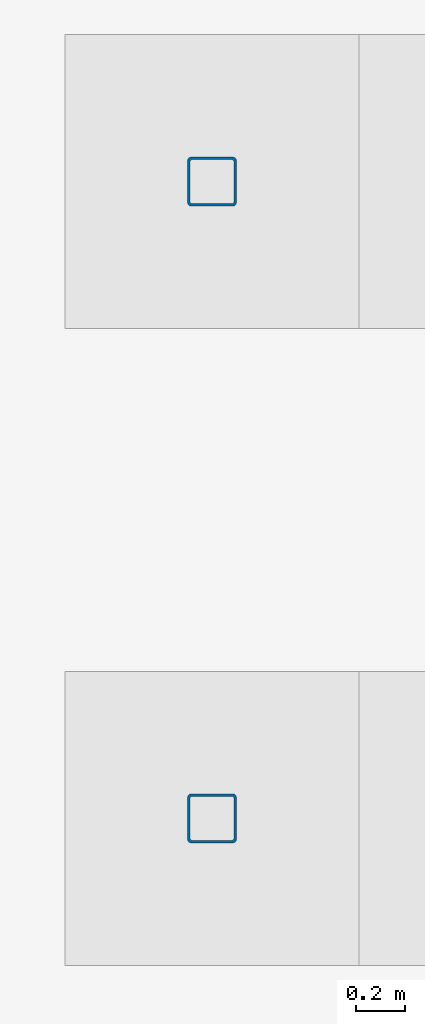
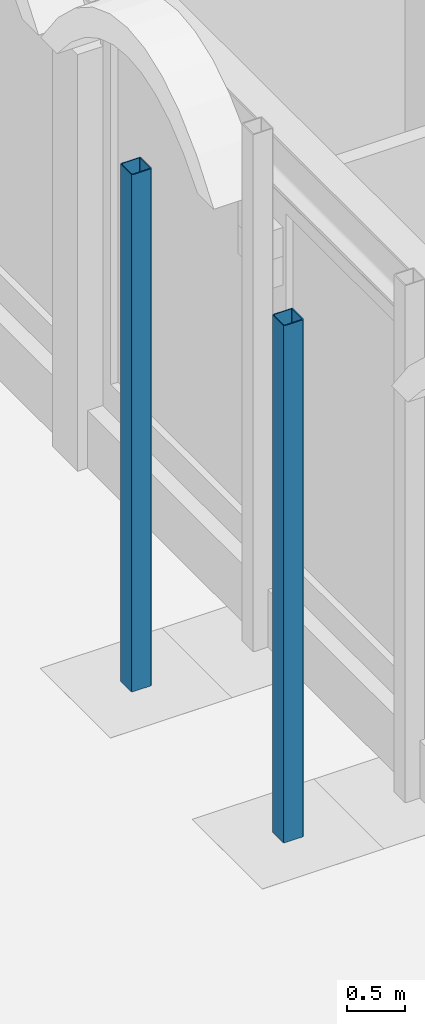
# One storey, part 15 of 126: 2 columns.
"""IFC4 building model written with IfcOpenShell, lengths in metres."""

from ifc_helpers import new_model, si_unit, direction, frame, origin, origin_2d, place, context, subcontext, project, spatial, hollow_rectangle, extrude, material, material_profile, profile_set, type_object, element, save


model = new_model("IFC4")

# Units and contexts
model_context = context("Model", 3, precision=1e-05, world=origin(), true_north=direction((0.0, 1.0)))
body_context = subcontext(model_context, "Body", "Model", "MODEL_VIEW")
ifc_project = project(units=[si_unit("LENGTHUNIT", "METRE"), si_unit("AREAUNIT", "SQUARE_METRE"), si_unit("VOLUMEUNIT", "CUBIC_METRE"), si_unit("PLANEANGLEUNIT", "RADIAN"), si_unit("MASSUNIT", "GRAM", prefix="KILO")], contexts=[model_context])

# Site, building, storey
site_placement = place(None, origin())
site = spatial("IfcSite", under=ifc_project, at=site_placement, CompositionType="ELEMENT")
building_placement = place(site_placement, origin())
building = spatial("IfcBuilding", under=site, at=building_placement, Name="Kallimachos Central Library", CompositionType="ELEMENT")
storey_placement = place(building_placement, origin())
storey = spatial("IfcBuildingStorey", under=building, at=storey_placement, Name="L00", CompositionType="ELEMENT", Elevation=0.0)

# Columns
ifc_material = material(Name="Steel S355J2H", Category="steel")
ifc_material_profile = material_profile(ifc_material, hollow_rectangle(XDim=0.199951171875, YDim=0.199951171875, WallThickness=0.010009765625, InnerFilletRadius=0.010009765625, OuterFilletRadius=0.014892578125, at=origin_2d()), Name="SHS 200x200x10")
ifc_profile_set = profile_set([ifc_material_profile], Name="Steel S355J2H")
column_type = type_object("IfcColumnType", Name="SHS 200x200x10 column", PredefinedType="COLUMN", material=ifc_profile_set)
for number, where, z_axis, x_axis, name in (
    (1, (63.949951171875, 69.199951171875, 0.0), (0.0, 0.0, 1.0), (1.0, 0.0, 0.0), "Tribune bay W2 column 3"),
    (2, (63.949951171875, 71.800048828125, 0.0), (0.0, 0.0, 1.0), (1.0, 0.0, 0.0), "Tribune bay W2 column 4"),
):
    element("IfcColumn", number, at=place(storey_placement, frame(where, z_axis=z_axis, x_axis=x_axis)), inside=storey, type_object=column_type, Name=name, PredefinedType="COLUMN", context=body_context, shape_type="SweptSolid", body=[
        extrude(hollow_rectangle(XDim=0.199951171875, YDim=0.199951171875, WallThickness=0.010009765625, InnerFilletRadius=0.010009765625, OuterFilletRadius=0.014892578125, at=origin_2d()), origin(), (0.0, 0.0, 1.0), 5.39990234375),
    ])

save(model, "model.ifc")
